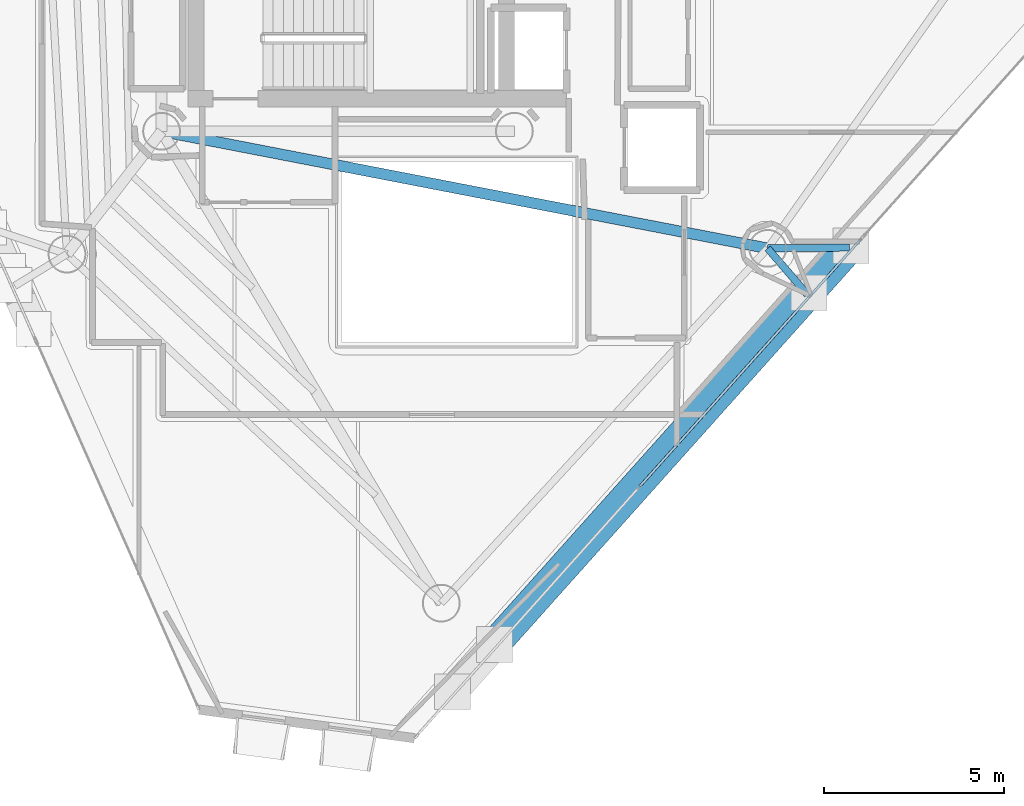
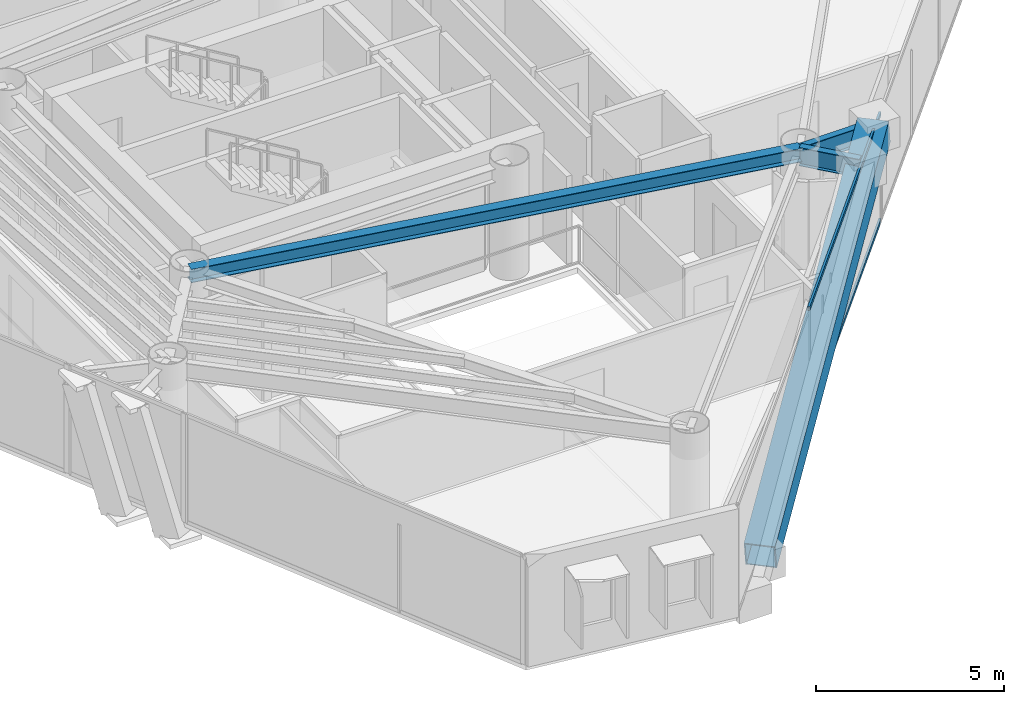
# One storey, part 6 of 21: 3 beams, 3 members, 1 element without a shape of its own.
"""IFC4 building model written with IfcOpenShell, lengths in metres."""

import ifcopenshell
import ifcopenshell.guid

model = None  # the IFC model being written
_history = None  # IfcOwnerHistory: only IFC2X3 demands one
_inside = {}  # id of a spatial element -> (the spatial element, [elements in it])
_under = {}  # id of a project, library or spatial element -> (it, [spatial elements below it])
_declared = {}  # id of a project -> (the project, [libraries it declares])
_typed = {}  # id of a type object -> (the type object, [elements of that type])
_made_of = {}  # id of a material, layer set ... -> (it, [elements and type objects made of it])


def new_model(schema):
    """Start an empty IFC model of exactly this schema.

    Asked for "IFC4X3", IfcOpenShell would pick the latest addendum, in which some entities
    have other attributes; the version numbers below select the first issue.
    IFC2X3 requires an IfcOwnerHistory on every rooted entity: one is made here for all.
    """
    global model, _history
    if schema == "IFC4X3":
        model = ifcopenshell.file(schema_version=(4, 3, 0, 0))
    else:
        model = ifcopenshell.file(schema=schema)
    _inside.clear()
    _under.clear()
    _declared.clear()
    _typed.clear()
    _made_of.clear()
    _history = None
    if model.schema == "IFC2X3":
        org = make("IfcOrganization", Name="unknown")
        user = make(
            "IfcPersonAndOrganization",
            ThePerson=make("IfcPerson", FamilyName="unknown"),
            TheOrganization=org,
        )
        app = make(
            "IfcApplication",
            ApplicationDeveloper=org,
            Version="unknown",
            ApplicationFullName="unknown",
            ApplicationIdentifier="unknown",
        )
        _history = make(
            "IfcOwnerHistory",
            OwningUser=user,
            OwningApplication=app,
            ChangeAction="ADDED",
            CreationDate=0,
        )
    return model


def make(cls, **values):
    """One entity of the class cls with the attributes given. An attribute that is None is left unset."""
    return model.create_entity(
        cls, **{name: value for name, value in values.items() if value is not None}
    )


def rooted(cls, **values):
    """An entity with a GlobalId (a new one), such as an element, a storey or a relation."""
    return make(cls, GlobalId=ifcopenshell.guid.new(), OwnerHistory=_history, **values)


def si_unit(unit_type, name, prefix=None):
    """IfcSIUnit, for example si_unit("LENGTHUNIT", "METRE", prefix="MILLI")."""
    return make("IfcSIUnit", UnitType=unit_type, Prefix=prefix, Name=name)


def assignment(units):
    """IfcUnitAssignment: the units of a project."""
    return None if units is None else make("IfcUnitAssignment", Units=units)


def point(xyz):
    """IfcCartesianPoint."""
    return None if xyz is None else make("IfcCartesianPoint", Coordinates=xyz)


def direction(xyz):
    """IfcDirection."""
    return None if xyz is None else make("IfcDirection", DirectionRatios=xyz)


def frame(location, z_axis=None, x_axis=None):
    """IfcAxis2Placement3D, a coordinate frame: its origin and axes. An axis left out is left unset."""
    return make(
        "IfcAxis2Placement3D",
        Location=point(location),
        Axis=direction(z_axis),
        RefDirection=direction(x_axis),
    )


def frame_2d(location, x_axis=None):
    """IfcAxis2Placement2D, a coordinate frame in the plane: its origin and x axis."""
    return make(
        "IfcAxis2Placement2D", Location=point(location), RefDirection=direction(x_axis)
    )


def origin():
    """The frame at (0, 0, 0) with its axes left unset."""
    return frame((0.0, 0.0, 0.0))


def origin_2d():
    """The frame at (0, 0) in the plane with its x axis left unset."""
    return frame_2d((0.0, 0.0))


def place(relative_to, where):
    """IfcLocalPlacement: puts the frame where relative to a parent placement (None: the world)."""
    return make(
        "IfcLocalPlacement", PlacementRelTo=relative_to, RelativePlacement=where
    )


def context(
    kind, dimensions, precision=None, world=None, true_north=None, identifier=None
):
    """IfcGeometricRepresentationContext, for example the 3D "Model" context."""
    return make(
        "IfcGeometricRepresentationContext",
        ContextIdentifier=identifier,
        ContextType=kind,
        CoordinateSpaceDimension=dimensions,
        Precision=precision,
        WorldCoordinateSystem=world,
        TrueNorth=true_north,
    )


def subcontext(parent, identifier, kind, view, scale=None):
    """IfcGeometricRepresentationSubContext, for example "Body" below "Model"."""
    return make(
        "IfcGeometricRepresentationSubContext",
        ContextIdentifier=identifier,
        ContextType=kind,
        ParentContext=parent,
        TargetScale=scale,
        TargetView=view,
    )


def project(units=None, contexts=None):
    """IfcProject with its units and contexts."""
    return rooted(
        "IfcProject",
        Name="project",
        RepresentationContexts=contexts,
        UnitsInContext=assignment(units),
    )


def spatial(cls, under=None, at=None, **own):
    """A site, building, storey or space (cls), placed at a placement, below another one or the project."""
    s = rooted(cls, ObjectPlacement=at, **own)
    if under is not None:
        _under.setdefault(under.id(), (under, []))[1].append(s)
    return s


def profile(cls, at=None, kind="AREA", **sizes):
    """A parametric profile (cls). Its sizes go by their IFC names, for example OverallWidth=200.0."""
    return make(cls, ProfileType=kind, Position=at, **sizes)


def hollow_rectangle(**sizes):
    """IfcRectangleHollowProfileDef."""
    return profile("IfcRectangleHollowProfileDef", **sizes)


def i_section(**sizes):
    """IfcIShapeProfileDef."""
    return profile("IfcIShapeProfileDef", **sizes)


def extrude(swept, where, along, depth):
    """IfcExtrudedAreaSolid: the profile swept, set in the frame where, extruded along a direction by depth."""
    return make(
        "IfcExtrudedAreaSolid",
        SweptArea=swept,
        Position=where,
        ExtrudedDirection=direction(along),
        Depth=depth,
    )


def shape(context_of_items, identifier, shape_type, items):
    """IfcShapeRepresentation: the items that make up one representation, for example the "Body"."""
    return make(
        "IfcShapeRepresentation",
        ContextOfItems=context_of_items,
        RepresentationIdentifier=identifier,
        RepresentationType=shape_type,
        Items=items,
    )


def material(Name=None, Category=None):
    """IfcMaterial."""
    return make("IfcMaterial", Name=Name, Category=Category)


def layer(
    of_material, thickness, ventilated=None, Name=None, Category=None, Priority=None
):
    """IfcMaterialLayer: one layer of a wall or slab, of a material (None: an air gap)."""
    return make(
        "IfcMaterialLayer",
        Material=of_material,
        LayerThickness=thickness,
        IsVentilated=ventilated,
        Name=Name,
        Category=Category,
        Priority=Priority,
    )


def layer_set(layers, Name=None):
    """IfcMaterialLayerSet."""
    return make("IfcMaterialLayerSet", MaterialLayers=layers, LayerSetName=Name)


def material_profile(
    of_material, cross_section, Name=None, Category=None, Priority=None
):
    """IfcMaterialProfile: a cross section and its material."""
    return make(
        "IfcMaterialProfile",
        Name=Name,
        Material=of_material,
        Profile=cross_section,
        Priority=Priority,
        Category=Category,
    )


def profile_set(profiles, Name=None, composite=None):
    """IfcMaterialProfileSet."""
    return make(
        "IfcMaterialProfileSet",
        Name=Name,
        MaterialProfiles=profiles,
        CompositeProfile=composite,
    )


def made_of(thing, what):
    """Note that an element or type object is made of a material, layer set ...; save() writes the relation."""
    if what is not None:
        _made_of.setdefault(what.id(), (what, []))[1].append(thing)
    return thing


def type_object(cls, material=None, **own):
    """A type object (cls), such as IfcWallType, which elements share."""
    return made_of(rooted(cls, **own), material)


def element(
    cls,
    number,
    at=None,
    inside=None,
    cuts=None,
    type_object=None,
    material=None,
    context=None,
    identifier="Body",
    shape_type=None,
    held_by="IfcProductDefinitionShape",
    body=None,
    shapes=None,
    **own,
):
    """One element of the class cls, such as IfcWall. Its Tag is "e" and its number.

    at: its placement. inside: the storey or other place that contains it. cuts: it is an
    opening in that element (IfcRelVoidsElement). A single representation is given by context,
    identifier, shape_type and body (its items); several are given by shapes. held_by: the class
    of the entity that holds the representations. save() writes the other relations.
    """
    e = rooted(cls, Tag="e%d" % number, ObjectPlacement=at, **own)
    if body is not None:
        shapes = [shape(context, identifier, shape_type, body)]
    if shapes is not None:
        e.Representation = make(held_by, Representations=shapes)
    if inside is not None:
        _inside.setdefault(inside.id(), (inside, []))[1].append(e)
    if cuts is not None:
        rooted(
            "IfcRelVoidsElement", RelatingBuildingElement=cuts, RelatedOpeningElement=e
        )
    if type_object is not None:
        _typed.setdefault(type_object.id(), (type_object, []))[1].append(e)
    return made_of(e, material)


def aggregate(whole, parts):
    """IfcRelAggregates: a whole, such as a stair, and the parts it consists of."""
    return rooted("IfcRelAggregates", RelatingObject=whole, RelatedObjects=parts)


def save(model, path):
    """Write the relations noted so far, then the file.

    IfcRelAggregates (storeys below a building ...), IfcRelContainedInSpatialStructure (elements
    in a storey), IfcRelDefinesByType, IfcRelAssociatesMaterial and IfcRelDeclares: one each for
    every whole, place, type object, material and project.
    """
    for whole, parts in _under.values():
        aggregate(whole, parts)
    for where, things in _inside.values():
        rooted(
            "IfcRelContainedInSpatialStructure",
            RelatedElements=things,
            RelatingStructure=where,
        )
    for kind, things in _typed.values():
        rooted("IfcRelDefinesByType", RelatedObjects=things, RelatingType=kind)
    for what, things in _made_of.values():
        rooted("IfcRelAssociatesMaterial", RelatedObjects=things, RelatingMaterial=what)
    for by, libraries in _declared.values():
        rooted("IfcRelDeclares", RelatingContext=by, RelatedDefinitions=libraries)
    model.write(path)


model = new_model("IFC4")

# Units and contexts
model_context = context("Model", 3, precision=1e-05, world=origin(), true_north=direction((0.0, 1.0)))
body_context = subcontext(model_context, "Body", "Model", "MODEL_VIEW")
ifc_project = project(units=[si_unit("LENGTHUNIT", "METRE"), si_unit("AREAUNIT", "SQUARE_METRE"), si_unit("VOLUMEUNIT", "CUBIC_METRE"), si_unit("PLANEANGLEUNIT", "RADIAN"), si_unit("MASSUNIT", "GRAM", prefix="KILO")], contexts=[model_context])

# Site, building, storey
site_placement = place(None, origin())
site = spatial("IfcSite", under=ifc_project, at=site_placement, CompositionType="ELEMENT")
building_placement = place(site_placement, origin())
building = spatial("IfcBuilding", under=site, at=building_placement, Name="Qianvela Tower", CompositionType="ELEMENT")
storey_placement = place(building_placement, frame((0.0, 0.0, 250.10009765625)))
storey = spatial("IfcBuildingStorey", under=building, at=storey_placement, Name="L64", CompositionType="ELEMENT", Elevation=250.10009765625)

# Beams
ifc_material_1 = material(Name="Steel Q355B", Category="steel")
ifc_material_profile_1 = material_profile(ifc_material_1, i_section(OverallWidth=0.300048828125, OverallDepth=0.43994140625, WebThickness=0.010986328125, FlangeThickness=0.01806640625, at=origin_2d()), Name="HM440x300x11x18")
ifc_profile_set_1 = profile_set([ifc_material_profile_1], Name="Steel Q355B")
beam_type_1 = type_object("IfcBeamType", Name="BM-HM440-COLL", PredefinedType="BEAM", material=ifc_profile_set_1)
beam_1_placement = place(storey_placement, frame((28.60009765625, 23.85009765625, 3.2978515625), z_axis=(0.981849104236, -0.189663745904, 0.0), x_axis=(0.189663745904, 0.981849104236, 0.0)))
element("IfcBeam", 1, at=beam_1_placement, inside=storey, type_object=beam_type_1, Name="L64 Radial Primary Floor Girder 6", PredefinedType="BEAM", context=body_context, shape_type="SweptSolid", body=[
    extrude(i_section(OverallWidth=0.300048828125, OverallDepth=0.43994140625, WebThickness=0.010986328125, FlangeThickness=0.01806640625, at=origin_2d()), origin(), (0.0, 0.0, 1.0), 17.147216796875),
])
ifc_material_2 = material(Name="Steel Q355B", Category="steel")
ifc_material_profile_2 = material_profile(ifc_material_2, i_section(OverallWidth=0.199951171875, OverallDepth=0.60009765625, WebThickness=0.010986328125, FlangeThickness=0.01708984375, at=origin_2d()), Name="HN600x200x11x17")
ifc_profile_set_2 = profile_set([ifc_material_profile_2], Name="Steel Q355B")
beam_type_2 = type_object("IfcBeamType", Name="BM-HN600-GIRD", PredefinedType="BEAM", material=ifc_profile_set_2)
beam_2_placement = place(storey_placement, frame((45.43603515625, 20.597900390625, 3.218017578125), z_axis=(0.652569088786, -0.757729228921, 0.0), x_axis=(0.757729228921, 0.652569088786, 0.0)))
element("IfcBeam", 2, at=beam_2_placement, inside=storey, type_object=beam_type_2, Name="L64 Mega-Brace Column Tie Bracket F3-1", PredefinedType="BEAM", context=body_context, shape_type="SweptSolid", body=[
    extrude(i_section(OverallWidth=0.199951171875, OverallDepth=0.60009765625, WebThickness=0.010986328125, FlangeThickness=0.01708984375, at=origin_2d()), origin(), (0.0, 0.0, 1.0), 1.69482421875),
])
beam_3_placement = place(storey_placement, frame((45.43603515625, 20.597900390625, 3.218017578125), z_axis=(0.999952284884, 0.009768723341, 0.0), x_axis=(-0.009768723341, 0.999952284884, 0.0)))
element("IfcBeam", 3, at=beam_3_placement, inside=storey, type_object=beam_type_2, Name="L64 Mega-Brace Column Tie Bracket F3-2", PredefinedType="BEAM", context=body_context, shape_type="SweptSolid", body=[
    extrude(i_section(OverallWidth=0.199951171875, OverallDepth=0.60009765625, WebThickness=0.010986328125, FlangeThickness=0.01708984375, at=origin_2d()), origin(), (0.0, 0.0, 1.0), 2.274169921875),
])

# Curtain wall, members
ifc_material_3 = material(Name="Anodised Architectural Aluminium and Insulated Spandrel Panel", Category="aluminium")
ifc_layer = layer(ifc_material_3, 0.179931640625)
ifc_layer_set = layer_set([ifc_layer], Name="Anodised Architectural Aluminium and Insulated Spandrel Panel")
curtain_wall_type = type_object("IfcCurtainWallType", Name="CW-BRACEBAY", PredefinedType="USERDEFINED", material=ifc_layer_set)
curtain_wall_placement = place(storey_placement, origin())
curtain_wall = element("IfcCurtainWall", 4, at=curtain_wall_placement, inside=storey, type_object=curtain_wall_type, Name="L64 CW-BRACEBAY Curtain Wall 06A", ObjectType="CURTAIN_WALL_SYSTEM", PredefinedType="USERDEFINED")
ifc_material_4 = material(Name="Anodised Architectural Aluminium 6063-T6", Category="aluminium")
ifc_material_profile_3 = material_profile(ifc_material_4, hollow_rectangle(XDim=0.06494140625, YDim=0.1298828125, WallThickness=0.00439453125, at=origin_2d()), Name="ALU-TRAN-65x130")
ifc_profile_set_3 = profile_set([ifc_material_profile_3], Name="Anodised Architectural Aluminium 6063-T6")
member_type_1 = type_object("IfcMemberType", Name="CW-BRACEBAY-TRAN", PredefinedType="USERDEFINED", material=ifc_profile_set_3)
member_1_placement = place(storey_placement, frame((41.8876953125, 13.98974609375, 0.032470703125), z_axis=(0.666627514064, 0.745391009802, 0.0), x_axis=(-0.745391009802, 0.666627514064, 0.0)))
member_1 = element("IfcMember", 5, at=member_1_placement, type_object=member_type_1, Name="CW-9 transom 2.1", ObjectType="TRANSOM", PredefinedType="USERDEFINED", context=body_context, shape_type="SweptSolid", body=[
    extrude(hollow_rectangle(XDim=0.06494140625, YDim=0.1298828125, WallThickness=0.00439453125, at=origin_2d()), origin(), (0.0, 0.0, 1.0), 9.212158203125),
])
member_2_placement = place(storey_placement, frame((41.8876953125, 13.98974609375, 3.4873046875), z_axis=(0.666627514064, 0.745391009802, 0.0), x_axis=(-0.745391009802, 0.666627514064, 0.0)))
member_2 = element("IfcMember", 6, at=member_2_placement, type_object=member_type_1, Name="CW-9 transom 2.2", ObjectType="TRANSOM", PredefinedType="USERDEFINED", context=body_context, shape_type="SweptSolid", body=[
    extrude(hollow_rectangle(XDim=0.06494140625, YDim=0.1298828125, WallThickness=0.00439453125, at=origin_2d()), origin(), (0.0, 0.0, 1.0), 9.212158203125),
])
aggregate(curtain_wall, [member_1, member_2])

# Member
ifc_material_5 = material(Name="Steel Q420GJC", Category="steel")
ifc_material_profile_4 = material_profile(ifc_material_5, hollow_rectangle(XDim=0.85009765625, YDim=0.85009765625, WallThickness=0.031982421875, at=origin_2d()), Name="MBOX-850x850x32")
ifc_profile_set_4 = profile_set([ifc_material_profile_4], Name="Steel Q420GJC")
member_type_2 = type_object("IfcMemberType", Name="MBR-MBRACE-850", PredefinedType="BRACE", material=ifc_profile_set_4)
member_3_placement = place(storey_placement, frame((37.889404296875, 9.638916015625, -0.482177734375), z_axis=(0.64654432051, 0.722938323279, 0.243599306957), x_axis=(-0.745392558582, 0.666625782288, 0.0)))
element("IfcMember", 7, at=member_3_placement, inside=storey, type_object=member_type_2, Name="L64 Tier 10 Exterior Mega-Brace F3B", PredefinedType="BRACE", context=body_context, shape_type="SweptSolid", body=[
    extrude(hollow_rectangle(XDim=0.85009765625, YDim=0.85009765625, WallThickness=0.031982421875, at=origin_2d()), origin(), (0.0, 0.0, 1.0), 15.189697265625),
])

save(model, "model.ifc")
